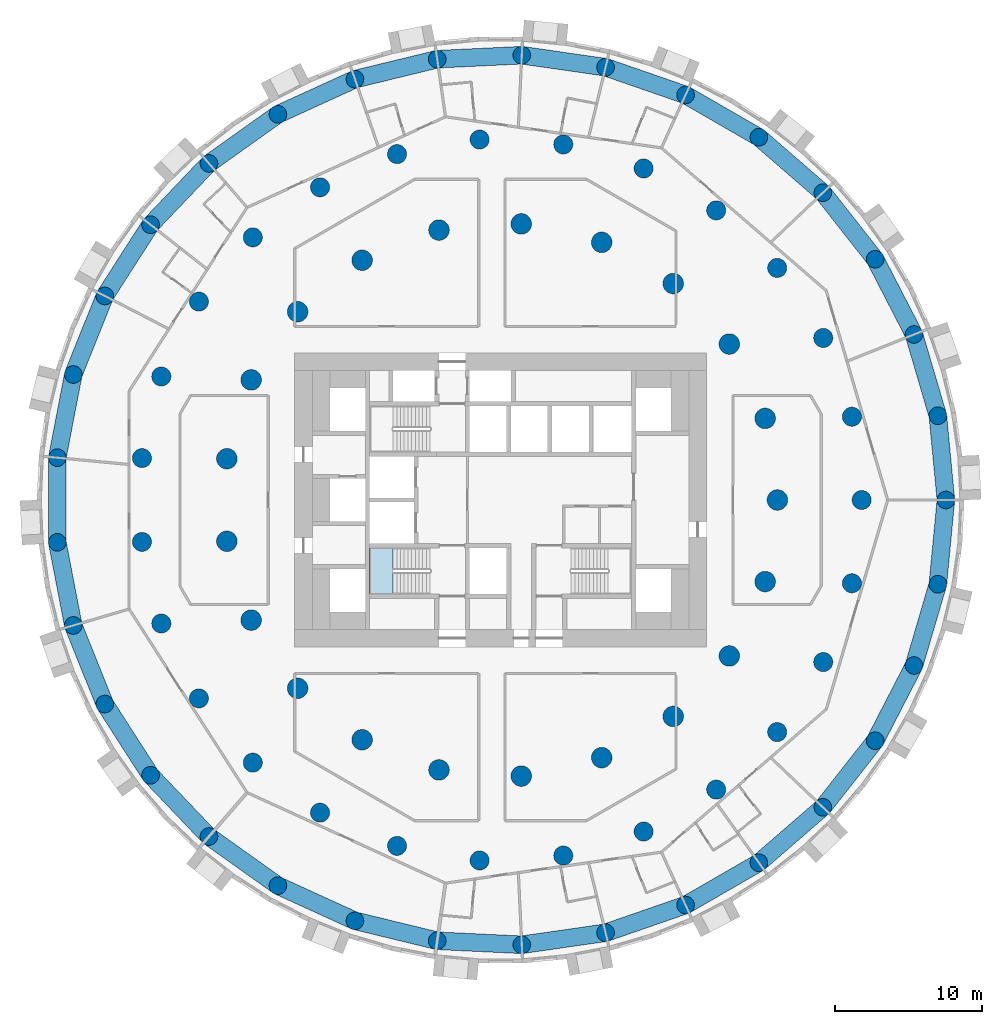
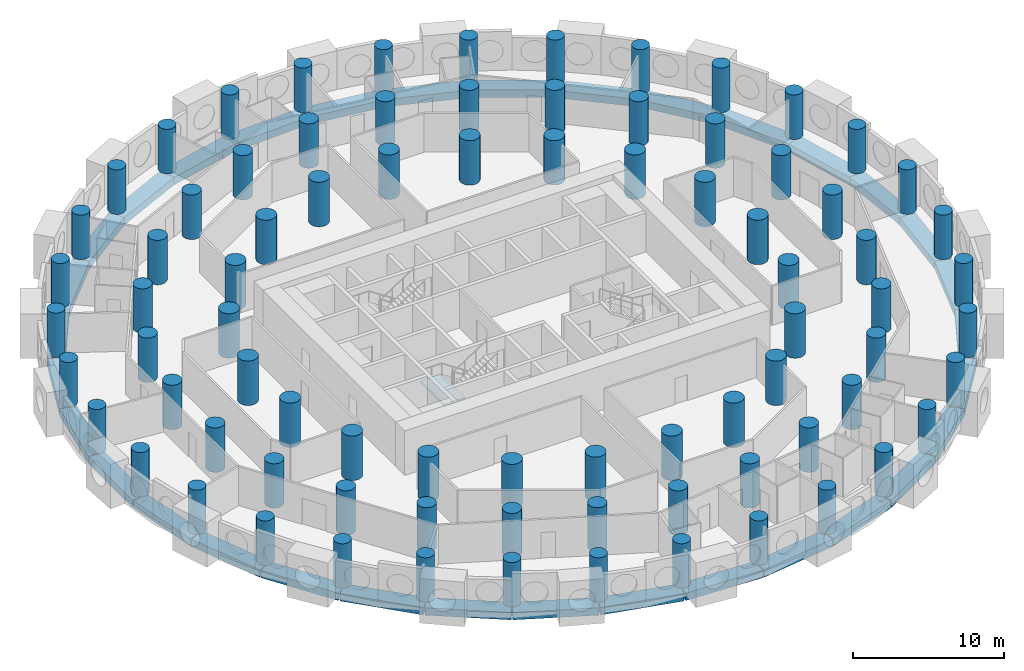
# One storey, part 1 of 11: 81 columns, 33 beams, 1 slab, 1 element without a shape of its own.
"""IFC4 building model written with IfcOpenShell, lengths in metres."""

from ifc_helpers import new_model, si_unit, direction, frame, origin, origin_2d, place, context, subcontext, project, spatial, polyline, rectangle, circle, outline, extrude, material, layer, layer_set, material_profile, profile_set, type_object, element, aggregate, save


model = new_model("IFC4")

# Units and contexts
model_context = context("Model", 3, precision=1e-05, world=origin(), true_north=direction((0.0, 1.0)))
body_context = subcontext(model_context, "Body", "Model", "MODEL_VIEW")
ifc_project = project(units=[si_unit("LENGTHUNIT", "METRE"), si_unit("AREAUNIT", "SQUARE_METRE"), si_unit("VOLUMEUNIT", "CUBIC_METRE"), si_unit("PLANEANGLEUNIT", "RADIAN"), si_unit("MASSUNIT", "GRAM", prefix="KILO")], contexts=[model_context])

# Site, building, storey
site_placement = place(None, origin())
site = spatial("IfcSite", under=ifc_project, at=site_placement, CompositionType="ELEMENT")
building_placement = place(site_placement, origin())
building = spatial("IfcBuilding", under=site, at=building_placement, Name="Tracery Tower", CompositionType="ELEMENT")
storey_placement = place(building_placement, frame((0.0, 0.0, 96.60009765625)))
storey = spatial("IfcBuildingStorey", under=building, at=storey_placement, Name="L24", CompositionType="ELEMENT", Elevation=96.60009765625)

# Columns
ifc_material_1 = material(Name="Concrete C60/75", Category="concrete")
ifc_material_profile_1 = material_profile(ifc_material_1, circle(Radius=0.60009765625, at=origin_2d()), Name="RC D1200")
ifc_profile_set_1 = profile_set([ifc_material_profile_1], Name="Concrete C60/75")
column_type_1 = type_object("IfcColumnType", Name="Ring 0 column 1200", PredefinedType="COLUMN", material=ifc_profile_set_1)
for number, where, z_axis, x_axis, name in (
    (1, (30.274658203125, 0.0, 0.0), (0.0, 0.0, 1.0), (1.0, 0.0, 0.0), "Ring 0 column 00 at L24"),
    (2, (29.7275390625, 5.7294921875, 0.0), (0.0, 0.0, 1.0), (1.0, 0.0, 0.0), "Ring 0 column 01 at L24"),
    (3, (28.10595703125, 11.251953125, 0.0), (0.0, 0.0, 1.0), (1.0, 0.0, 0.0), "Ring 0 column 02 at L24"),
    (4, (25.468505859375, 16.36767578125, 0.0), (0.0, 0.0, 1.0), (1.0, 0.0, 0.0), "Ring 0 column 03 at L24"),
    (5, (21.910888671875, 20.891845703125, 0.0), (0.0, 0.0, 1.0), (1.0, 0.0, 0.0), "Ring 0 column 04 at L24"),
    (6, (17.56103515625, 24.660888671875, 0.0), (0.0, 0.0, 1.0), (1.0, 0.0, 0.0), "Ring 0 column 05 at L24"),
    (7, (12.576416015625, 27.538818359375, 0.0), (0.0, 0.0, 1.0), (1.0, 0.0, 0.0), "Ring 0 column 06 at L24"),
    (8, (7.137451171875, 29.421142578125, 0.0), (0.0, 0.0, 1.0), (1.0, 0.0, 0.0), "Ring 0 column 07 at L24"),
    (9, (1.4404296875, 30.240234375, 0.0), (0.0, 0.0, 1.0), (1.0, 0.0, 0.0), "Ring 0 column 08 at L24"),
    (10, (-4.30859375, 29.96630859375, 0.0), (0.0, 0.0, 1.0), (1.0, 0.0, 0.0), "Ring 0 column 09 at L24"),
    (11, (-9.90185546875, 28.609619140625, 0.0), (0.0, 0.0, 1.0), (1.0, 0.0, 0.0), "Ring 0 column 10 at L24"),
    (12, (-15.13720703125, 26.218505859375, 0.0), (0.0, 0.0, 1.0), (1.0, 0.0, 0.0), "Ring 0 column 11 at L24"),
    (13, (-19.82568359375, 22.8798828125, 0.0), (0.0, 0.0, 1.0), (1.0, 0.0, 0.0), "Ring 0 column 12 at L24"),
    (14, (-23.79736328125, 18.714599609375, 0.0), (0.0, 0.0, 1.0), (1.0, 0.0, 0.0), "Ring 0 column 13 at L24"),
    (15, (-26.9091796875, 13.87255859375, 0.0), (0.0, 0.0, 1.0), (1.0, 0.0, 0.0), "Ring 0 column 14 at L24"),
    (16, (-29.04833984375, 8.529296875, 0.0), (0.0, 0.0, 1.0), (1.0, 0.0, 0.0), "Ring 0 column 15 at L24"),
    (17, (-30.137451171875, 2.877685546875, 0.0), (0.0, 0.0, 1.0), (1.0, 0.0, 0.0), "Ring 0 column 16 at L24"),
    (18, (-30.137451171875, -2.877685546875, 0.0), (0.0, 0.0, 1.0), (1.0, 0.0, 0.0), "Ring 0 column 17 at L24"),
    (19, (-29.04833984375, -8.529296875, 0.0), (0.0, 0.0, 1.0), (1.0, 0.0, 0.0), "Ring 0 column 18 at L24"),
    (20, (-26.9091796875, -13.87255859375, 0.0), (0.0, 0.0, 1.0), (1.0, 0.0, 0.0), "Ring 0 column 19 at L24"),
    (21, (-23.79736328125, -18.714599609375, 0.0), (0.0, 0.0, 1.0), (1.0, 0.0, 0.0), "Ring 0 column 20 at L24"),
    (22, (-19.82568359375, -22.8798828125, 0.0), (0.0, 0.0, 1.0), (1.0, 0.0, 0.0), "Ring 0 column 21 at L24"),
    (23, (-15.13720703125, -26.218505859375, 0.0), (0.0, 0.0, 1.0), (1.0, 0.0, 0.0), "Ring 0 column 22 at L24"),
    (24, (-9.90185546875, -28.609619140625, 0.0), (0.0, 0.0, 1.0), (1.0, 0.0, 0.0), "Ring 0 column 23 at L24"),
    (25, (-4.30859375, -29.96630859375, 0.0), (0.0, 0.0, 1.0), (1.0, 0.0, 0.0), "Ring 0 column 24 at L24"),
    (26, (1.4404296875, -30.240234375, 0.0), (0.0, 0.0, 1.0), (1.0, 0.0, 0.0), "Ring 0 column 25 at L24"),
    (27, (7.137451171875, -29.421142578125, 0.0), (0.0, 0.0, 1.0), (1.0, 0.0, 0.0), "Ring 0 column 26 at L24"),
    (28, (12.576416015625, -27.538818359375, 0.0), (0.0, 0.0, 1.0), (1.0, 0.0, 0.0), "Ring 0 column 27 at L24"),
    (29, (17.56103515625, -24.660888671875, 0.0), (0.0, 0.0, 1.0), (1.0, 0.0, 0.0), "Ring 0 column 28 at L24"),
    (30, (21.910888671875, -20.891845703125, 0.0), (0.0, 0.0, 1.0), (1.0, 0.0, 0.0), "Ring 0 column 29 at L24"),
    (31, (25.468505859375, -16.36767578125, 0.0), (0.0, 0.0, 1.0), (1.0, 0.0, 0.0), "Ring 0 column 30 at L24"),
    (32, (28.10595703125, -11.251953125, 0.0), (0.0, 0.0, 1.0), (1.0, 0.0, 0.0), "Ring 0 column 31 at L24"),
    (33, (29.7275390625, -5.7294921875, 0.0), (0.0, 0.0, 1.0), (1.0, 0.0, 0.0), "Ring 0 column 32 at L24"),
):
    element("IfcColumn", number, at=place(storey_placement, frame(where, z_axis=z_axis, x_axis=x_axis)), inside=storey, type_object=column_type_1, Name=name, PredefinedType="COLUMN", context=body_context, shape_type="SweptSolid", body=[
        extrude(circle(Radius=0.60009765625, at=origin_2d()), origin(), (0.0, 0.0, 1.0), 3.599853515625),
    ])
ifc_material_2 = material(Name="Concrete C60/75", Category="concrete")
ifc_material_profile_2 = material_profile(ifc_material_2, circle(Radius=0.64990234375, at=origin_2d()), Name="RC D1300")
ifc_profile_set_2 = profile_set([ifc_material_profile_2], Name="Concrete C60/75")
column_type_2 = type_object("IfcColumnType", Name="Ring 1 column 1300", PredefinedType="COLUMN", material=ifc_profile_set_2)
for number, where, z_axis, x_axis, name in (
    (34, (24.547607421875, 0.0, 0.0), (0.0, 0.0, 1.0), (1.0, 0.0, 0.0), "Ring 1 column 00 at L24"),
    (35, (23.885986328125, 5.6611328125, 0.0), (0.0, 0.0, 1.0), (1.0, 0.0, 0.0), "Ring 1 column 01 at L24"),
    (36, (21.9365234375, 11.01708984375, 0.0), (0.0, 0.0, 1.0), (1.0, 0.0, 0.0), "Ring 1 column 02 at L24"),
    (37, (18.8046875, 15.779052734375, 0.0), (0.0, 0.0, 1.0), (1.0, 0.0, 0.0), "Ring 1 column 03 at L24"),
    (38, (14.658935546875, 19.690185546875, 0.0), (0.0, 0.0, 1.0), (1.0, 0.0, 0.0), "Ring 1 column 04 at L24"),
    (39, (9.722900390625, 22.5400390625, 0.0), (0.0, 0.0, 1.0), (1.0, 0.0, 0.0), "Ring 1 column 05 at L24"),
    (40, (4.2626953125, 24.1748046875, 0.0), (0.0, 0.0, 1.0), (1.0, 0.0, 0.0), "Ring 1 column 06 at L24"),
    (41, (-1.42724609375, 24.506103515625, 0.0), (0.0, 0.0, 1.0), (1.0, 0.0, 0.0), "Ring 1 column 07 at L24"),
    (42, (-7.040283203125, 23.516357421875, 0.0), (0.0, 0.0, 1.0), (1.0, 0.0, 0.0), "Ring 1 column 08 at L24"),
    (43, (-12.273681640625, 21.2587890625, 0.0), (0.0, 0.0, 1.0), (1.0, 0.0, 0.0), "Ring 1 column 09 at L24"),
    (44, (-16.845703125, 17.855224609375, 0.0), (0.0, 0.0, 1.0), (1.0, 0.0, 0.0), "Ring 1 column 10 at L24"),
    (45, (-20.50927734375, 13.4892578125, 0.0), (0.0, 0.0, 1.0), (1.0, 0.0, 0.0), "Ring 1 column 11 at L24"),
    (46, (-23.0673828125, 8.395751953125, 0.0), (0.0, 0.0, 1.0), (1.0, 0.0, 0.0), "Ring 1 column 12 at L24"),
    (47, (-24.381591796875, 2.849853515625, 0.0), (0.0, 0.0, 1.0), (1.0, 0.0, 0.0), "Ring 1 column 13 at L24"),
    (48, (-24.381591796875, -2.849853515625, 0.0), (0.0, 0.0, 1.0), (1.0, 0.0, 0.0), "Ring 1 column 14 at L24"),
    (49, (-23.0673828125, -8.395751953125, 0.0), (0.0, 0.0, 1.0), (1.0, 0.0, 0.0), "Ring 1 column 15 at L24"),
    (50, (-20.50927734375, -13.4892578125, 0.0), (0.0, 0.0, 1.0), (1.0, 0.0, 0.0), "Ring 1 column 16 at L24"),
    (51, (-16.845703125, -17.85546875, 0.0), (0.0, 0.0, 1.0), (1.0, 0.0, 0.0), "Ring 1 column 17 at L24"),
    (52, (-12.27392578125, -21.2587890625, 0.0), (0.0, 0.0, 1.0), (1.0, 0.0, 0.0), "Ring 1 column 18 at L24"),
    (53, (-7.040283203125, -23.516357421875, 0.0), (0.0, 0.0, 1.0), (1.0, 0.0, 0.0), "Ring 1 column 19 at L24"),
    (54, (-1.42724609375, -24.506103515625, 0.0), (0.0, 0.0, 1.0), (1.0, 0.0, 0.0), "Ring 1 column 20 at L24"),
    (55, (4.2626953125, -24.1748046875, 0.0), (0.0, 0.0, 1.0), (1.0, 0.0, 0.0), "Ring 1 column 21 at L24"),
    (56, (9.722900390625, -22.5400390625, 0.0), (0.0, 0.0, 1.0), (1.0, 0.0, 0.0), "Ring 1 column 22 at L24"),
    (57, (14.658935546875, -19.690185546875, 0.0), (0.0, 0.0, 1.0), (1.0, 0.0, 0.0), "Ring 1 column 23 at L24"),
    (58, (18.8046875, -15.779052734375, 0.0), (0.0, 0.0, 1.0), (1.0, 0.0, 0.0), "Ring 1 column 24 at L24"),
    (59, (21.9365234375, -11.01708984375, 0.0), (0.0, 0.0, 1.0), (1.0, 0.0, 0.0), "Ring 1 column 25 at L24"),
    (60, (23.885986328125, -5.6611328125, 0.0), (0.0, 0.0, 1.0), (1.0, 0.0, 0.0), "Ring 1 column 26 at L24"),
):
    element("IfcColumn", number, at=place(storey_placement, frame(where, z_axis=z_axis, x_axis=x_axis)), inside=storey, type_object=column_type_2, Name=name, PredefinedType="COLUMN", context=body_context, shape_type="SweptSolid", body=[
        extrude(circle(Radius=0.64990234375, at=origin_2d()), origin(), (0.0, 0.0, 1.0), 3.599853515625),
    ])
ifc_material_3 = material(Name="Concrete C60/75", Category="concrete")
ifc_material_profile_3 = material_profile(ifc_material_3, circle(Radius=0.699951171875, at=origin_2d()), Name="RC D1400")
ifc_profile_set_3 = profile_set([ifc_material_profile_3], Name="Concrete C60/75")
column_type_3 = type_object("IfcColumnType", Name="Ring 2 column 1400", PredefinedType="COLUMN", material=ifc_profile_set_3)
for number, where, z_axis, x_axis, name in (
    (61, (18.822265625, 0.0, 0.0), (0.0, 0.0, 1.0), (1.0, 0.0, 0.0), "Ring 2 column 00 at L24"),
    (62, (17.986083984375, 5.5478515625, 0.0), (0.0, 0.0, 1.0), (1.0, 0.0, 0.0), "Ring 2 column 01 at L24"),
    (63, (15.551513671875, 10.602783203125, 0.0), (0.0, 0.0, 1.0), (1.0, 0.0, 0.0), "Ring 2 column 02 at L24"),
    (64, (11.7353515625, 14.7158203125, 0.0), (0.0, 0.0, 1.0), (1.0, 0.0, 0.0), "Ring 2 column 03 at L24"),
    (65, (6.87646484375, 17.52099609375, 0.0), (0.0, 0.0, 1.0), (1.0, 0.0, 0.0), "Ring 2 column 04 at L24"),
    (66, (1.406494140625, 18.76953125, 0.0), (0.0, 0.0, 1.0), (1.0, 0.0, 0.0), "Ring 2 column 05 at L24"),
    (67, (-4.188232421875, 18.350341796875, 0.0), (0.0, 0.0, 1.0), (1.0, 0.0, 0.0), "Ring 2 column 06 at L24"),
    (68, (-9.4111328125, 16.300537109375, 0.0), (0.0, 0.0, 1.0), (1.0, 0.0, 0.0), "Ring 2 column 07 at L24"),
    (69, (-13.797607421875, 12.802490234375, 0.0), (0.0, 0.0, 1.0), (1.0, 0.0, 0.0), "Ring 2 column 08 at L24"),
    (70, (-16.958251953125, 8.16650390625, 0.0), (0.0, 0.0, 1.0), (1.0, 0.0, 0.0), "Ring 2 column 09 at L24"),
    (71, (-18.612060546875, 2.805419921875, 0.0), (0.0, 0.0, 1.0), (1.0, 0.0, 0.0), "Ring 2 column 10 at L24"),
    (72, (-18.612060546875, -2.805419921875, 0.0), (0.0, 0.0, 1.0), (1.0, 0.0, 0.0), "Ring 2 column 11 at L24"),
    (73, (-16.958251953125, -8.166748046875, 0.0), (0.0, 0.0, 1.0), (1.0, 0.0, 0.0), "Ring 2 column 12 at L24"),
    (74, (-13.797607421875, -12.80224609375, 0.0), (0.0, 0.0, 1.0), (1.0, 0.0, 0.0), "Ring 2 column 13 at L24"),
    (75, (-9.4111328125, -16.300537109375, 0.0), (0.0, 0.0, 1.0), (1.0, 0.0, 0.0), "Ring 2 column 14 at L24"),
    (76, (-4.188232421875, -18.350341796875, 0.0), (0.0, 0.0, 1.0), (1.0, 0.0, 0.0), "Ring 2 column 15 at L24"),
    (77, (1.406494140625, -18.76953125, 0.0), (0.0, 0.0, 1.0), (1.0, 0.0, 0.0), "Ring 2 column 16 at L24"),
    (78, (6.87646484375, -17.52099609375, 0.0), (0.0, 0.0, 1.0), (1.0, 0.0, 0.0), "Ring 2 column 17 at L24"),
    (79, (11.7353515625, -14.7158203125, 0.0), (0.0, 0.0, 1.0), (1.0, 0.0, 0.0), "Ring 2 column 18 at L24"),
    (80, (15.551513671875, -10.602783203125, 0.0), (0.0, 0.0, 1.0), (1.0, 0.0, 0.0), "Ring 2 column 19 at L24"),
    (81, (17.986083984375, -5.5478515625, 0.0), (0.0, 0.0, 1.0), (1.0, 0.0, 0.0), "Ring 2 column 20 at L24"),
):
    element("IfcColumn", number, at=place(storey_placement, frame(where, z_axis=z_axis, x_axis=x_axis)), inside=storey, type_object=column_type_3, Name=name, PredefinedType="COLUMN", context=body_context, shape_type="SweptSolid", body=[
        extrude(circle(Radius=0.699951171875, at=origin_2d()), origin(), (0.0, 0.0, 1.0), 3.599853515625),
    ])

# Beams
ifc_material_4 = material(Name="Concrete C60/75", Category="concrete")
ifc_material_profile_4 = material_profile(ifc_material_4, rectangle(XDim=1.199951171875, YDim=0.60009765625, at=origin_2d()), Name="RC 1200x600")
ifc_profile_set_4 = profile_set([ifc_material_profile_4], Name="Concrete C60/75")
beam_type = type_object("IfcBeamType", Name="Perimeter band beam 1200x600", PredefinedType="BEAM", material=ifc_profile_set_4)
for number, where, z_axis, x_axis, name in (
    (82, (30.274658203125, 0.0, -0.75), (-0.095059309677, 0.995471610667, 0.0), (-0.995471610667, -0.095059309677, 0.0), "Perimeter beam 0.00 under L24"),
    (83, (29.7275390625, 5.7294921875, -0.75), (-0.281739145896, 0.959491038869, 0.0), (-0.959491038869, -0.281739145896, 0.0), "Perimeter beam 0.01 under L24"),
    (84, (28.10595703125, 11.251953125, -0.75), (-0.458242010493, 0.88882746347, 0.0), (-0.88882746347, -0.458242010493, 0.0), "Perimeter beam 0.02 under L24"),
):
    element("IfcBeam", number, at=place(storey_placement, frame(where, z_axis=z_axis, x_axis=x_axis)), inside=storey, type_object=beam_type, Name=name, PredefinedType="BEAM", context=body_context, shape_type="SweptSolid", body=[
        extrude(rectangle(XDim=1.199951171875, YDim=0.60009765625, at=origin_2d()), origin(), (0.0, 0.0, 1.0), 5.755615234375),
    ])
beam_1_placement = place(storey_placement, frame((25.468505859375, 16.36767578125, -0.75), z_axis=(-0.618134362257, 0.786072458618, 0.0), x_axis=(-0.786072458618, -0.618134362257, 0.0)))
element("IfcBeam", 85, at=beam_1_placement, inside=storey, type_object=beam_type, Name="Perimeter beam 0.03 under L24", PredefinedType="BEAM", context=body_context, shape_type="SweptSolid", body=[
    extrude(rectangle(XDim=1.199951171875, YDim=0.60009765625, at=origin_2d()), origin(), (0.0, 0.0, 1.0), 5.75537109375),
])
beam_2_placement = place(storey_placement, frame((21.910888671875, 20.891845703125, -0.75), z_axis=(-0.755760456715, 0.65484817482, 0.0), x_axis=(-0.65484817482, -0.755760456715, 0.0)))
element("IfcBeam", 86, at=beam_2_placement, inside=storey, type_object=beam_type, Name="Perimeter beam 0.04 under L24", PredefinedType="BEAM", context=body_context, shape_type="SweptSolid", body=[
    extrude(rectangle(XDim=1.199951171875, YDim=0.60009765625, at=origin_2d()), origin(), (0.0, 0.0, 1.0), 5.755615234375),
])
beam_3_placement = place(storey_placement, frame((17.56103515625, 24.660888671875, -0.75), z_axis=(-0.866021003874, 0.50000762079, 0.0), x_axis=(-0.50000762079, -0.866021003874, 0.0)))
element("IfcBeam", 87, at=beam_3_placement, inside=storey, type_object=beam_type, Name="Perimeter beam 0.05 under L24", PredefinedType="BEAM", context=body_context, shape_type="SweptSolid", body=[
    extrude(rectangle(XDim=1.199951171875, YDim=0.60009765625, at=origin_2d()), origin(), (0.0, 0.0, 1.0), 5.755859375),
])
beam_4_placement = place(storey_placement, frame((12.576416015625, 27.538818359375, -0.75), z_axis=(-0.945007252869, 0.327049372458, 0.0), x_axis=(-0.327049372458, -0.945007252869, 0.0)))
element("IfcBeam", 88, at=beam_4_placement, inside=storey, type_object=beam_type, Name="Perimeter beam 0.06 under L24", PredefinedType="BEAM", context=body_context, shape_type="SweptSolid", body=[
    extrude(rectangle(XDim=1.199951171875, YDim=0.60009765625, at=origin_2d()), origin(), (0.0, 0.0, 1.0), 5.75537109375),
])
for number, where, z_axis, x_axis, name in (
    (89, (7.137451171875, 29.421142578125, -0.75), (-0.989821839174, 0.142312075013, 0.0), (-0.142312075013, -0.989821839174, 0.0), "Perimeter beam 0.07 under L24"),
    (90, (1.4404296875, 30.240234375, -0.75), (-0.998866793759, -0.047593364303, 0.0), (0.047593364303, -0.998866793759, 0.0), "Perimeter beam 0.08 under L24"),
):
    element("IfcBeam", number, at=place(storey_placement, frame(where, z_axis=z_axis, x_axis=x_axis)), inside=storey, type_object=beam_type, Name=name, PredefinedType="BEAM", context=body_context, shape_type="SweptSolid", body=[
        extrude(rectangle(XDim=1.199951171875, YDim=0.60009765625, at=origin_2d()), origin(), (0.0, 0.0, 1.0), 5.755615234375),
    ])
beam_5_placement = place(storey_placement, frame((-4.30859375, 29.96630859375, -0.75), z_axis=(-0.971820371509, -0.235722645328, 0.0), x_axis=(0.235722645328, -0.971820371509, 0.0)))
element("IfcBeam", 91, at=beam_5_placement, inside=storey, type_object=beam_type, Name="Perimeter beam 0.09 under L24", PredefinedType="BEAM", context=body_context, shape_type="SweptSolid", body=[
    extrude(rectangle(XDim=1.199951171875, YDim=0.60009765625, at=origin_2d()), origin(), (0.0, 0.0, 1.0), 5.75537109375),
])
for number, where, z_axis, x_axis, name in (
    (92, (-9.90185546875, 28.609619140625, -0.75), (-0.909618316865, -0.415444963411, 0.0), (0.415444963411, -0.909618316865, 0.0), "Perimeter beam 0.10 under L24"),
    (93, (-15.13720703125, 26.218505859375, -0.75), (-0.8145780864, -0.580053912285, 0.0), (0.580053912285, -0.8145780864, 0.0), "Perimeter beam 0.11 under L24"),
):
    element("IfcBeam", number, at=place(storey_placement, frame(where, z_axis=z_axis, x_axis=x_axis)), inside=storey, type_object=beam_type, Name=name, PredefinedType="BEAM", context=body_context, shape_type="SweptSolid", body=[
        extrude(rectangle(XDim=1.199951171875, YDim=0.60009765625, at=origin_2d()), origin(), (0.0, 0.0, 1.0), 5.755615234375),
    ])
beam_6_placement = place(storey_placement, frame((-19.82568359375, 22.8798828125, -0.75), z_axis=(-0.690087218267, -0.723726212863, 0.0), x_axis=(0.723726212863, -0.690087218267, 0.0)))
element("IfcBeam", 94, at=beam_6_placement, inside=storey, type_object=beam_type, Name="Perimeter beam 0.12 under L24", PredefinedType="BEAM", context=body_context, shape_type="SweptSolid", body=[
    extrude(rectangle(XDim=1.199951171875, YDim=0.60009765625, at=origin_2d()), origin(), (0.0, 0.0, 1.0), 5.75537109375),
])
beam_7_placement = place(storey_placement, frame((-23.79736328125, 18.714599609375, -0.75), z_axis=(-0.540643964602, -0.841251510274, 0.0), x_axis=(0.841251510274, -0.540643964602, 0.0)))
element("IfcBeam", 95, at=beam_7_placement, inside=storey, type_object=beam_type, Name="Perimeter beam 0.13 under L24", PredefinedType="BEAM", context=body_context, shape_type="SweptSolid", body=[
    extrude(rectangle(XDim=1.199951171875, YDim=0.60009765625, at=origin_2d()), origin(), (0.0, 0.0, 1.0), 5.755859375),
])
for number, where, z_axis, x_axis, name in (
    (96, (-26.9091796875, 13.87255859375, -0.75), (-0.371668572289, -0.928365484264, 0.0), (0.928365484264, -0.371668572289, 0.0), "Perimeter beam 0.14 under L24"),
    (97, (-29.04833984375, 8.529296875, -0.75), (-0.189226539295, -0.981933458451, 0.0), (0.981933458451, -0.189226539295, 0.0), "Perimeter beam 0.15 under L24"),
):
    element("IfcBeam", number, at=place(storey_placement, frame(where, z_axis=z_axis, x_axis=x_axis)), inside=storey, type_object=beam_type, Name=name, PredefinedType="BEAM", context=body_context, shape_type="SweptSolid", body=[
        extrude(rectangle(XDim=1.199951171875, YDim=0.60009765625, at=origin_2d()), origin(), (0.0, 0.0, 1.0), 5.755615234375),
    ])
beam_8_placement = place(storey_placement, frame((-30.137451171875, 2.877685546875, -0.75), z_axis=(0.0, -1.0, 0.0), x_axis=(1.0, 0.0, 0.0)))
element("IfcBeam", 98, at=beam_8_placement, inside=storey, type_object=beam_type, Name="Perimeter beam 0.16 under L24", PredefinedType="BEAM", context=body_context, shape_type="SweptSolid", body=[
    extrude(rectangle(XDim=1.199951171875, YDim=0.60009765625, at=origin_2d()), origin(), (0.0, 0.0, 1.0), 5.75537109375),
])
for number, where, z_axis, x_axis, name in (
    (99, (-30.137451171875, -2.877685546875, -0.75), (0.189226539295, -0.981933458451, 0.0), (0.981933458451, 0.189226539295, 0.0), "Perimeter beam 0.17 under L24"),
    (100, (-29.04833984375, -8.529296875, -0.75), (0.371668572289, -0.928365484264, 0.0), (0.928365484264, 0.371668572289, 0.0), "Perimeter beam 0.18 under L24"),
):
    element("IfcBeam", number, at=place(storey_placement, frame(where, z_axis=z_axis, x_axis=x_axis)), inside=storey, type_object=beam_type, Name=name, PredefinedType="BEAM", context=body_context, shape_type="SweptSolid", body=[
        extrude(rectangle(XDim=1.199951171875, YDim=0.60009765625, at=origin_2d()), origin(), (0.0, 0.0, 1.0), 5.755615234375),
    ])
beam_9_placement = place(storey_placement, frame((-26.9091796875, -13.87255859375, -0.75), z_axis=(0.540643964602, -0.841251510274, 0.0), x_axis=(0.841251510274, 0.540643964602, 0.0)))
element("IfcBeam", 101, at=beam_9_placement, inside=storey, type_object=beam_type, Name="Perimeter beam 0.19 under L24", PredefinedType="BEAM", context=body_context, shape_type="SweptSolid", body=[
    extrude(rectangle(XDim=1.199951171875, YDim=0.60009765625, at=origin_2d()), origin(), (0.0, 0.0, 1.0), 5.755859375),
])
beam_10_placement = place(storey_placement, frame((-23.79736328125, -18.714599609375, -0.75), z_axis=(0.690087218267, -0.723726212863, 0.0), x_axis=(0.723726212863, 0.690087218267, 0.0)))
element("IfcBeam", 102, at=beam_10_placement, inside=storey, type_object=beam_type, Name="Perimeter beam 0.20 under L24", PredefinedType="BEAM", context=body_context, shape_type="SweptSolid", body=[
    extrude(rectangle(XDim=1.199951171875, YDim=0.60009765625, at=origin_2d()), origin(), (0.0, 0.0, 1.0), 5.75537109375),
])
for number, where, z_axis, x_axis, name in (
    (103, (-19.82568359375, -22.8798828125, -0.75), (0.8145780864, -0.580053912285, 0.0), (0.580053912285, 0.8145780864, 0.0), "Perimeter beam 0.21 under L24"),
    (104, (-15.13720703125, -26.218505859375, -0.75), (0.909618316865, -0.415444963411, 0.0), (0.415444963411, 0.909618316865, 0.0), "Perimeter beam 0.22 under L24"),
):
    element("IfcBeam", number, at=place(storey_placement, frame(where, z_axis=z_axis, x_axis=x_axis)), inside=storey, type_object=beam_type, Name=name, PredefinedType="BEAM", context=body_context, shape_type="SweptSolid", body=[
        extrude(rectangle(XDim=1.199951171875, YDim=0.60009765625, at=origin_2d()), origin(), (0.0, 0.0, 1.0), 5.755615234375),
    ])
beam_11_placement = place(storey_placement, frame((-9.90185546875, -28.609619140625, -0.75), z_axis=(0.971820371509, -0.235722645328, 0.0), x_axis=(0.235722645328, 0.971820371509, 0.0)))
element("IfcBeam", 105, at=beam_11_placement, inside=storey, type_object=beam_type, Name="Perimeter beam 0.23 under L24", PredefinedType="BEAM", context=body_context, shape_type="SweptSolid", body=[
    extrude(rectangle(XDim=1.199951171875, YDim=0.60009765625, at=origin_2d()), origin(), (0.0, 0.0, 1.0), 5.75537109375),
])
for number, where, z_axis, x_axis, name in (
    (106, (-4.30859375, -29.96630859375, -0.75), (0.998866793759, -0.047593364303, 0.0), (0.047593364303, 0.998866793759, 0.0), "Perimeter beam 0.24 under L24"),
    (107, (1.4404296875, -30.240234375, -0.75), (0.989821839174, 0.142312075013, 0.0), (-0.142312075013, 0.989821839174, 0.0), "Perimeter beam 0.25 under L24"),
):
    element("IfcBeam", number, at=place(storey_placement, frame(where, z_axis=z_axis, x_axis=x_axis)), inside=storey, type_object=beam_type, Name=name, PredefinedType="BEAM", context=body_context, shape_type="SweptSolid", body=[
        extrude(rectangle(XDim=1.199951171875, YDim=0.60009765625, at=origin_2d()), origin(), (0.0, 0.0, 1.0), 5.755615234375),
    ])
beam_12_placement = place(storey_placement, frame((7.137451171875, -29.421142578125, -0.75), z_axis=(0.945007252869, 0.327049372458, 0.0), x_axis=(-0.327049372458, 0.945007252869, 0.0)))
element("IfcBeam", 108, at=beam_12_placement, inside=storey, type_object=beam_type, Name="Perimeter beam 0.26 under L24", PredefinedType="BEAM", context=body_context, shape_type="SweptSolid", body=[
    extrude(rectangle(XDim=1.199951171875, YDim=0.60009765625, at=origin_2d()), origin(), (0.0, 0.0, 1.0), 5.75537109375),
])
beam_13_placement = place(storey_placement, frame((12.576416015625, -27.538818359375, -0.75), z_axis=(0.866021003874, 0.50000762079, 0.0), x_axis=(-0.50000762079, 0.866021003874, 0.0)))
element("IfcBeam", 109, at=beam_13_placement, inside=storey, type_object=beam_type, Name="Perimeter beam 0.27 under L24", PredefinedType="BEAM", context=body_context, shape_type="SweptSolid", body=[
    extrude(rectangle(XDim=1.199951171875, YDim=0.60009765625, at=origin_2d()), origin(), (0.0, 0.0, 1.0), 5.755859375),
])
beam_14_placement = place(storey_placement, frame((17.56103515625, -24.660888671875, -0.75), z_axis=(0.755760456715, 0.65484817482, 0.0), x_axis=(-0.65484817482, 0.755760456715, 0.0)))
element("IfcBeam", 110, at=beam_14_placement, inside=storey, type_object=beam_type, Name="Perimeter beam 0.28 under L24", PredefinedType="BEAM", context=body_context, shape_type="SweptSolid", body=[
    extrude(rectangle(XDim=1.199951171875, YDim=0.60009765625, at=origin_2d()), origin(), (0.0, 0.0, 1.0), 5.755615234375),
])
beam_15_placement = place(storey_placement, frame((21.910888671875, -20.891845703125, -0.75), z_axis=(0.618134362257, 0.786072458618, 0.0), x_axis=(-0.786072458618, 0.618134362257, 0.0)))
element("IfcBeam", 111, at=beam_15_placement, inside=storey, type_object=beam_type, Name="Perimeter beam 0.29 under L24", PredefinedType="BEAM", context=body_context, shape_type="SweptSolid", body=[
    extrude(rectangle(XDim=1.199951171875, YDim=0.60009765625, at=origin_2d()), origin(), (0.0, 0.0, 1.0), 5.75537109375),
])
for number, where, z_axis, x_axis, name in (
    (112, (25.468505859375, -16.36767578125, -0.75), (0.458242010493, 0.88882746347, 0.0), (-0.88882746347, 0.458242010493, 0.0), "Perimeter beam 0.30 under L24"),
    (113, (28.10595703125, -11.251953125, -0.75), (0.281739145896, 0.959491038869, 0.0), (-0.959491038869, 0.281739145896, 0.0), "Perimeter beam 0.31 under L24"),
    (114, (29.7275390625, -5.7294921875, -0.75), (0.095059309677, 0.995471610667, 0.0), (-0.995471610667, 0.095059309677, 0.0), "Perimeter beam 0.32 under L24"),
):
    element("IfcBeam", number, at=place(storey_placement, frame(where, z_axis=z_axis, x_axis=x_axis)), inside=storey, type_object=beam_type, Name=name, PredefinedType="BEAM", context=body_context, shape_type="SweptSolid", body=[
        extrude(rectangle(XDim=1.199951171875, YDim=0.60009765625, at=origin_2d()), origin(), (0.0, 0.0, 1.0), 5.755615234375),
    ])

# Stair, slab
ifc_material_5 = material(Name="Concrete C32/40", Category="concrete")
stair_type = type_object("IfcStairType", Name="Core stair 22 risers", PredefinedType="HALF_TURN_STAIR", material=ifc_material_5)
stair_placement = place(storey_placement, origin())
stair = element("IfcStair", 115, at=stair_placement, inside=storey, type_object=stair_type, Name="L24 stair ST1", PredefinedType="HALF_TURN_STAIR")
ifc_material_6 = material(Name="Concrete C32/40", Category="concrete")
ifc_layer = layer(ifc_material_6, 0.199951171875)
ifc_layer_set = layer_set([ifc_layer], Name="Stair landing slab 200")
slab_type = type_object("IfcSlabType", Name="Stair landing slab 200", PredefinedType="LANDING", material=ifc_layer_set)
slab_placement = place(storey_placement, frame((0.0, 0.0, 1.599853515625)))
slab = element("IfcSlab", 116, at=slab_placement, type_object=slab_type, Name="ST1 landing 1", PredefinedType="LANDING", context=body_context, shape_type="SweptSolid", body=[
    extrude(outline(polyline([(-7.29931640625, -3.25), (-8.89990234375, -3.25), (-8.89990234375, -6.39990234375), (-7.29931640625, -6.39990234375), (-7.29931640625, -3.25)])), origin(), (0.0, 0.0, 1.0), 0.199951171875),
])
aggregate(stair, [slab])

save(model, "model.ifc")
